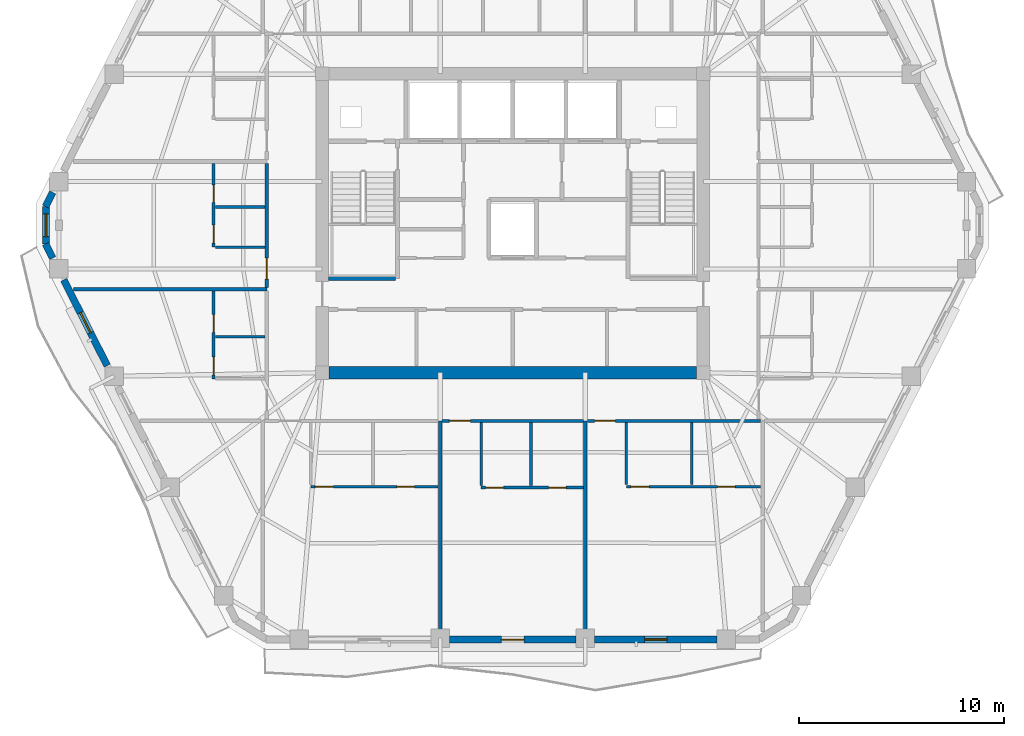
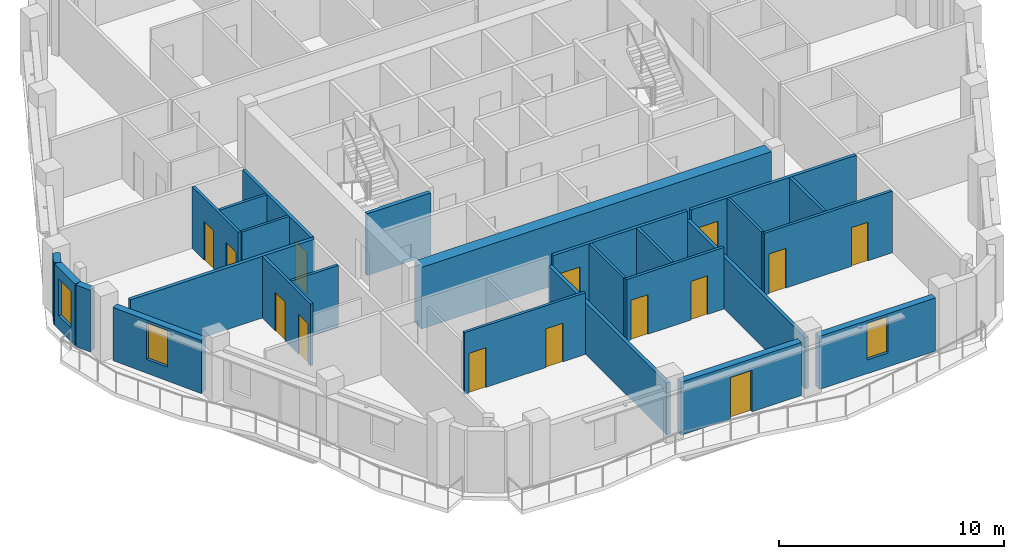
# One storey, part 4 of 11: 26 walls, 14 doors, 3 windows, 17 openings.
"""IFC4 building model written with IfcOpenShell, lengths in metres."""

from ifc_helpers import new_model, si_unit, direction, frame, frame_2d, origin, place, context, subcontext, project, spatial, rectangle, extrude, material, layer, layer_set, type_object, element, fill, save


model = new_model("IFC4")

# Units and contexts
model_context = context("Model", 3, precision=1e-05, world=origin(), true_north=direction((0.0, 1.0)))
body_context = subcontext(model_context, "Body", "Model", "MODEL_VIEW")
ifc_project = project(units=[si_unit("LENGTHUNIT", "METRE"), si_unit("AREAUNIT", "SQUARE_METRE"), si_unit("VOLUMEUNIT", "CUBIC_METRE"), si_unit("PLANEANGLEUNIT", "RADIAN"), si_unit("MASSUNIT", "GRAM", prefix="KILO")], contexts=[model_context])

# Site, building, storey
site_placement = place(None, origin())
site = spatial("IfcSite", under=ifc_project, at=site_placement, CompositionType="ELEMENT")
building_placement = place(site_placement, origin())
building = spatial("IfcBuilding", under=site, at=building_placement, Name="Cinnabar Lancet Tower", CompositionType="ELEMENT")
storey_placement = place(building_placement, frame((0.0, 0.0, 200.300048828125)))
storey = spatial("IfcBuildingStorey", under=building, at=storey_placement, Name="L53", CompositionType="ELEMENT", Elevation=200.300048828125)

# Wall, opening, door
ifc_material_1 = material(Name="Acoustic twin-stud gypsum partition", Category="gypsum")
ifc_layer_1 = layer(ifc_material_1, 0.159912109375)
ifc_layer_set_1 = layer_set([ifc_layer_1], Name="Acoustic twin-stud gypsum partition")
wall_type_1 = type_object("IfcWallType", Name="ARC-WL-CORR-160", PredefinedType="PARTITIONING", material=ifc_layer_set_1)
wall_1_placement = place(storey_placement, frame((28.951904296875, 16.25, 0.0), z_axis=(0.0, 0.0, 1.0), x_axis=(1.0, 0.0, 0.0)))
wall_1 = element("IfcWall", 1, at=wall_1_placement, inside=storey, type_object=wall_type_1, Name="L53 Unit S02 Corridor Wall", PredefinedType="PARTITIONING", context=body_context, shape_type="SweptSolid", body=[
    extrude(rectangle(XDim=6.89599609375, YDim=0.159912109375, at=frame_2d((3.447998046875, 0.0))), origin(), (0.0, 0.0, 1.0), 3.349853515625),
])
opening_1_placement = place(wall_1_placement, frame((0.35498046875, 0.0, 0.0)))
opening_1 = element("IfcOpeningElement", 2, at=opening_1_placement, cuts=wall_1, Name="Opening UD-01", PredefinedType="OPENING", context=body_context, shape_type="SweptSolid", body=[
    extrude(rectangle(XDim=1.02001953125, YDim=2.25, at=frame_2d((0.510009765625, 1.125))), frame((0.0, 0.08984375, 0.0), z_axis=(0.0, -1.0, 0.0), x_axis=(1.0, 0.0, 0.0)), (0.0, 0.0, 1.0), 0.179931640625),
])
ifc_material_2 = material(Name="Solid timber fire-rated apartment entrance door", Category="wood")
door_type_1 = type_object("IfcDoorType", Name="ARC-DR-UNIT", OperationType="NOTDEFINED", PredefinedType="DOOR", material=ifc_material_2)
door_1_placement = place(opening_1_placement, origin())
door_1 = element("IfcDoor", 3, at=door_1_placement, inside=storey, type_object=door_type_1, Name="DR-L53-S02-ENT", OperationType="SINGLE_SWING_RIGHT", OverallHeight=2.25, OverallWidth=1.02001953125, PredefinedType="DOOR", context=body_context, shape_type="SweptSolid", body=[
    extrude(rectangle(XDim=1.02001953125, YDim=2.25, at=frame_2d((0.510009765625, 1.125))), frame((0.0, 0.02490234375, 0.0), z_axis=(0.0, -1.0, 0.0), x_axis=(1.0, 0.0, 0.0)), (0.0, 0.0, 1.0), 0.050048828125),
])
fill(opening_1, door_1)

wall_2_placement = place(storey_placement, frame((36.0380859375, 16.25, 0.0), z_axis=(0.0, 0.0, 1.0), x_axis=(1.0, 0.0, 0.0)))
wall_2 = element("IfcWall", 4, at=wall_2_placement, inside=storey, type_object=wall_type_1, Name="L53 Unit S03 Corridor Wall", PredefinedType="PARTITIONING", context=body_context, shape_type="SweptSolid", body=[
    extrude(rectangle(XDim=8.466796875, YDim=0.159912109375, at=frame_2d((4.2333984375, 0.0))), origin(), (0.0, 0.0, 1.0), 3.349853515625),
])
opening_2_placement = place(wall_2_placement, frame((0.35498046875, 0.0, 0.0)))
opening_2 = element("IfcOpeningElement", 5, at=opening_2_placement, cuts=wall_2, Name="Opening UD-01", PredefinedType="OPENING", context=body_context, shape_type="SweptSolid", body=[
    extrude(rectangle(XDim=1.02001953125, YDim=2.25, at=frame_2d((0.510009765625, 1.125))), frame((0.0, 0.08984375, 0.0), z_axis=(0.0, -1.0, 0.0), x_axis=(1.0, 0.0, 0.0)), (0.0, 0.0, 1.0), 0.179931640625),
])
door_2_placement = place(opening_2_placement, origin())
door_2 = element("IfcDoor", 6, at=door_2_placement, inside=storey, type_object=door_type_1, Name="DR-L53-S03-ENT", OperationType="SINGLE_SWING_LEFT", OverallHeight=2.25, OverallWidth=1.02001953125, PredefinedType="DOOR", context=body_context, shape_type="SweptSolid", body=[
    extrude(rectangle(XDim=1.02001953125, YDim=2.25, at=frame_2d((0.510009765625, 1.125))), frame((0.0, 0.02490234375, 0.0), z_axis=(0.0, -1.0, 0.0), x_axis=(1.0, 0.0, 0.0)), (0.0, 0.0, 1.0), 0.050048828125),
])
fill(opening_2, door_2)

wall_3_placement = place(storey_placement, frame((20.39990234375, 22.77099609375, 0.0), z_axis=(0.0, 0.0, 1.0), x_axis=(0.0, 1.0, 0.0)))
wall_3 = element("IfcWall", 7, at=wall_3_placement, inside=storey, type_object=wall_type_1, Name="UW-L53-W02-COR", PredefinedType="PARTITIONING", context=body_context, shape_type="SweptSolid", body=[
    extrude(rectangle(XDim=6.047119140625, YDim=0.159912109375, at=frame_2d((3.0234375, 0.0))), origin(), (0.0, 0.0, 1.0), 3.349853515625),
])
opening_3_placement = place(wall_3_placement, frame((0.39990234375, 0.0, 0.0)))
opening_3 = element("IfcOpeningElement", 8, at=opening_3_placement, cuts=wall_3, Name="Opening UD-01", PredefinedType="OPENING", context=body_context, shape_type="SweptSolid", body=[
    extrude(rectangle(XDim=1.02001953125, YDim=2.25, at=frame_2d((0.510009765625, 1.125))), frame((0.0, 0.08984375, 0.0), z_axis=(0.0, -1.0, 0.0), x_axis=(1.0, 0.0, 0.0)), (0.0, 0.0, 1.0), 0.179931640625),
])
door_3_placement = place(opening_3_placement, origin())
door_3 = element("IfcDoor", 9, at=door_3_placement, inside=storey, type_object=door_type_1, Name="DR-L53-W02-ENT", OperationType="SINGLE_SWING_RIGHT", OverallHeight=2.25, OverallWidth=1.02001953125, PredefinedType="DOOR", context=body_context, shape_type="SweptSolid", body=[
    extrude(rectangle(XDim=1.02001953125, YDim=2.25, at=frame_2d((0.510009765625, 1.125))), frame((0.0, 0.02490234375, 0.0), z_axis=(0.0, -1.0, 0.0), x_axis=(1.0, 0.0, 0.0)), (0.0, 0.0, 1.0), 0.050048828125),
])
fill(opening_3, door_3)

# Walls
ifc_material_3 = material(Name="Fire-rated twin-frame acoustic drywall", Category="gypsum")
ifc_layer_2 = layer(ifc_material_3, 0.179931640625)
ifc_layer_set_2 = layer_set([ifc_layer_2], Name="Fire-rated twin-frame acoustic drywall")
wall_type_2 = type_object("IfcWallType", Name="ARC-WL-PARTY-180", PredefinedType="PARTITIONING", material=ifc_layer_set_2)
for number, where, z_axis, x_axis, name in (
    (10, (28.85693359375, 5.7548828125, 0.0), (0.0, 0.0, 1.0), (0.0, 1.0, 0.0), "PW-L53-SPTY-289"),
    (11, (35.943115234375, 5.7548828125, 0.0), (0.0, 0.0, 1.0), (0.0, 1.0, 0.0), "PW-L53-SPTY-359"),
):
    element("IfcWall", number, at=place(storey_placement, frame(where, z_axis=z_axis, x_axis=x_axis)), inside=storey, type_object=wall_type_2, Name=name, PredefinedType="PARTITIONING", context=body_context, shape_type="SweptSolid", body=[
        extrude(rectangle(XDim=10.4951171875, YDim=0.179931640625, at=frame_2d((5.24755859375, 0.0))), origin(), (0.0, 0.0, 1.0), 2.806884765625),
    ])
wall_4_placement = place(storey_placement, frame((10.9599609375, 22.676025390625, 0.0), z_axis=(0.0, 0.0, 1.0), x_axis=(1.0, 0.0, 0.0)))
element("IfcWall", 12, at=wall_4_placement, inside=storey, type_object=wall_type_2, Name="PW-L53-WPTY-1", PredefinedType="PARTITIONING", context=body_context, shape_type="SweptSolid", body=[
    extrude(rectangle(XDim=9.43994140625, YDim=0.179931640625, at=frame_2d((4.719970703125, 0.0))), origin(), (0.0, 0.0, 1.0), 3.349853515625),
])
ifc_material_4 = material(Name="Autoclaved aerated concrete blockwork", Category="masonry")
ifc_layer_3 = layer(ifc_material_4, 0.199951171875)
ifc_layer_set_3 = layer_set([ifc_layer_3], Name="Autoclaved aerated concrete blockwork")
wall_type_3 = type_object("IfcWallType", Name="ARC-WL-SHAFT-200", PredefinedType="PLUMBINGWALL", material=ifc_layer_set_3)
wall_5_placement = place(storey_placement, frame((23.405029296875, 23.199951171875, 0.0), z_axis=(0.0, 0.0, 1.0), x_axis=(1.0, 0.0, 0.0)))
element("IfcWall", 13, at=wall_5_placement, inside=storey, type_object=wall_type_3, Name="CW-ST1S-L53", PredefinedType="PLUMBINGWALL", context=body_context, shape_type="SweptSolid", body=[
    extrude(rectangle(XDim=3.27001953125, YDim=0.199951171875, at=frame_2d((1.635009765625, 0.0))), origin(), (0.0, 0.0, 1.0), 3.349853515625),
])
ifc_material_5 = material(Name="Gypsum plasterboard stud partition", Category="gypsum")
ifc_layer_4 = layer(ifc_material_5, 0.125)
ifc_layer_set_4 = layer_set([ifc_layer_4], Name="Gypsum plasterboard stud partition")
wall_type_4 = type_object("IfcWallType", Name="ARC-WL-UNIT-125", PredefinedType="PARTITIONING", material=ifc_layer_set_4)
wall_6_placement = place(storey_placement, frame((30.85693359375, 13.10205078125, 0.0), z_axis=(0.0, 0.0, 1.0), x_axis=(0.0, 1.0, 0.0)))
element("IfcWall", 14, at=wall_6_placement, inside=storey, type_object=wall_type_4, Name="UW-L53-S02-FOYE", PredefinedType="PARTITIONING", context=body_context, shape_type="SweptSolid", body=[
    extrude(rectangle(XDim=3.06298828125, YDim=0.125, at=frame_2d((1.531494140625, 0.0))), origin(), (0.0, 0.0, 1.0), 3.349853515625),
])
wall_7_placement = place(storey_placement, frame((37.943115234375, 13.138916015625, 0.0), z_axis=(0.0, 0.0, 1.0), x_axis=(0.0, 1.0, 0.0)))
element("IfcWall", 15, at=wall_7_placement, inside=storey, type_object=wall_type_4, Name="UW-L53-S03-FOYE", PredefinedType="PARTITIONING", context=body_context, shape_type="SweptSolid", body=[
    extrude(rectangle(XDim=3.026123046875, YDim=0.125, at=frame_2d((1.51318359375, 0.0))), origin(), (0.0, 0.0, 1.0), 3.349853515625),
])
wall_8_placement = place(storey_placement, frame((17.885009765625, 24.72607421875, 0.0), z_axis=(0.0, 0.0, 1.0), x_axis=(1.0, 0.0, 0.0)))
element("IfcWall", 16, at=wall_8_placement, inside=storey, type_object=wall_type_4, Name="UW-L53-W02-FOYN", PredefinedType="PARTITIONING", context=body_context, shape_type="SweptSolid", body=[
    extrude(rectangle(XDim=2.429931640625, YDim=0.125, at=frame_2d((1.21484375, 0.0))), origin(), (0.0, 0.0, 1.0), 3.349853515625),
])

# Wall, openings, doors
ifc_material_6 = material(Name="Moisture-resistant cement-board plumbing wall", Category="masonry")
ifc_layer_5 = layer(ifc_material_6, 0.139892578125)
ifc_layer_set_5 = layer_set([ifc_layer_5], Name="Moisture-resistant cement-board plumbing wall")
wall_type_5 = type_object("IfcWallType", Name="ARC-WL-WET-140", PredefinedType="PLUMBINGWALL", material=ifc_layer_set_5)
wall_9_placement = place(storey_placement, frame((22.550048828125, 13.033935546875, 0.0), z_axis=(0.0, 0.0, 1.0), x_axis=(1.0, 0.0, 0.0)))
wall_9 = element("IfcWall", 17, at=wall_9_placement, inside=storey, type_object=wall_type_5, Name="UW-L53-S01-SPL", PredefinedType="PLUMBINGWALL", context=body_context, shape_type="SweptSolid", body=[
    extrude(rectangle(XDim=6.2119140625, YDim=0.139892578125, at=frame_2d((3.10595703125, 0.0))), origin(), (0.0, 0.0, 1.0), 3.349853515625),
])
opening_4_placement = place(wall_9_placement, frame((4.195068359375, 0.0, 0.0)))
opening_4 = element("IfcOpeningElement", 18, at=opening_4_placement, cuts=wall_9, Name="Opening BD-01", PredefinedType="OPENING", context=body_context, shape_type="SweptSolid", body=[
    extrude(rectangle(XDim=0.860107421875, YDim=2.10009765625, at=frame_2d((0.43017578125, 1.050048828125))), frame((0.0, 0.079833984375, 0.0), z_axis=(0.0, -1.0, 0.0), x_axis=(1.0, 0.0, 0.0)), (0.0, 0.0, 1.0), 0.159912109375),
])
opening_5_placement = place(wall_9_placement, frame((0.219970703125, 0.0, 0.0)))
opening_5 = element("IfcOpeningElement", 19, at=opening_5_placement, cuts=wall_9, Name="Opening RD-02", PredefinedType="OPENING", context=body_context, shape_type="SweptSolid", body=[
    extrude(rectangle(XDim=0.8798828125, YDim=2.14990234375, at=frame_2d((0.43994140625, 1.074951171875))), frame((0.0, 0.079833984375, 0.0), z_axis=(0.0, -1.0, 0.0), x_axis=(1.0, 0.0, 0.0)), (0.0, 0.0, 1.0), 0.159912109375),
])
ifc_material_7 = material(Name="Moisture-resistant timber bathroom door", Category="wood")
door_type_2 = type_object("IfcDoorType", Name="ARC-DR-BATH", OperationType="NOTDEFINED", PredefinedType="DOOR", material=ifc_material_7)
door_4_placement = place(opening_4_placement, origin())
door_4 = element("IfcDoor", 20, at=door_4_placement, inside=storey, type_object=door_type_2, Name="DR-L53-S01-BTH", OperationType="SINGLE_SWING_LEFT", OverallHeight=2.10009765625, OverallWidth=0.860107421875, PredefinedType="DOOR", context=body_context, shape_type="SweptSolid", body=[
    extrude(rectangle(XDim=0.860107421875, YDim=2.10009765625, at=frame_2d((0.43017578125, 1.050048828125))), frame((0.0, 0.02490234375, 0.0), z_axis=(0.0, -1.0, 0.0), x_axis=(1.0, 0.0, 0.0)), (0.0, 0.0, 1.0), 0.050048828125),
])
fill(opening_4, door_4)
ifc_material_8 = material(Name="Engineered timber study door", Category="wood")
door_type_3 = type_object("IfcDoorType", Name="ARC-DR-STUDY", OperationType="NOTDEFINED", PredefinedType="DOOR", material=ifc_material_8)
door_5_placement = place(opening_5_placement, origin())
door_5 = element("IfcDoor", 21, at=door_5_placement, inside=storey, type_object=door_type_3, Name="DR-L53-S01-KIT", OperationType="SINGLE_SWING_RIGHT", OverallHeight=2.14990234375, OverallWidth=0.8798828125, PredefinedType="DOOR", context=body_context, shape_type="SweptSolid", body=[
    extrude(rectangle(XDim=0.8798828125, YDim=2.14990234375, at=frame_2d((0.43994140625, 1.074951171875))), frame((0.0, 0.02490234375, 0.0), z_axis=(0.0, -1.0, 0.0), x_axis=(1.0, 0.0, 0.0)), (0.0, 0.0, 1.0), 0.050048828125),
])
fill(opening_5, door_5)

wall_10_placement = place(storey_placement, frame((30.85693359375, 12.9970703125, 0.0), z_axis=(0.0, 0.0, 1.0), x_axis=(1.0, 0.0, 0.0)))
wall_10 = element("IfcWall", 22, at=wall_10_placement, inside=storey, type_object=wall_type_5, Name="UW-L53-S02-SPL", PredefinedType="PLUMBINGWALL", context=body_context, shape_type="SweptSolid", body=[
    extrude(rectangle(XDim=4.990966796875, YDim=0.139892578125, at=frame_2d((2.49560546875, 0.0))), origin(), (0.0, 0.0, 1.0), 3.349853515625),
])
opening_6_placement = place(wall_10_placement, frame((3.291015625, 0.0, 0.0)))
opening_6 = element("IfcOpeningElement", 23, at=opening_6_placement, cuts=wall_10, Name="Opening BD-01", PredefinedType="OPENING", context=body_context, shape_type="SweptSolid", body=[
    extrude(rectangle(XDim=0.860107421875, YDim=2.10009765625, at=frame_2d((0.43017578125, 1.050048828125))), frame((0.0, 0.079833984375, 0.0), z_axis=(0.0, -1.0, 0.0), x_axis=(1.0, 0.0, 0.0)), (0.0, 0.0, 1.0), 0.159912109375),
])
opening_7_placement = place(wall_10_placement, frame((0.219970703125, 0.0, 0.0)))
opening_7 = element("IfcOpeningElement", 24, at=opening_7_placement, cuts=wall_10, Name="Opening RD-02", PredefinedType="OPENING", context=body_context, shape_type="SweptSolid", body=[
    extrude(rectangle(XDim=0.8798828125, YDim=2.14990234375, at=frame_2d((0.43994140625, 1.074951171875))), frame((0.0, 0.079833984375, 0.0), z_axis=(0.0, -1.0, 0.0), x_axis=(1.0, 0.0, 0.0)), (0.0, 0.0, 1.0), 0.159912109375),
])
door_6_placement = place(opening_6_placement, origin())
door_6 = element("IfcDoor", 25, at=door_6_placement, inside=storey, type_object=door_type_2, Name="DR-L53-S02-BTH", OperationType="SINGLE_SWING_RIGHT", OverallHeight=2.10009765625, OverallWidth=0.860107421875, PredefinedType="DOOR", context=body_context, shape_type="SweptSolid", body=[
    extrude(rectangle(XDim=0.860107421875, YDim=2.10009765625, at=frame_2d((0.43017578125, 1.050048828125))), frame((0.0, 0.02490234375, 0.0), z_axis=(0.0, -1.0, 0.0), x_axis=(1.0, 0.0, 0.0)), (0.0, 0.0, 1.0), 0.050048828125),
])
fill(opening_6, door_6)
door_7_placement = place(opening_7_placement, origin())
door_7 = element("IfcDoor", 26, at=door_7_placement, inside=storey, type_object=door_type_3, Name="DR-L53-S02-KIT", OperationType="SINGLE_SWING_LEFT", OverallHeight=2.14990234375, OverallWidth=0.8798828125, PredefinedType="DOOR", context=body_context, shape_type="SweptSolid", body=[
    extrude(rectangle(XDim=0.8798828125, YDim=2.14990234375, at=frame_2d((0.43994140625, 1.074951171875))), frame((0.0, 0.02490234375, 0.0), z_axis=(0.0, -1.0, 0.0), x_axis=(1.0, 0.0, 0.0)), (0.0, 0.0, 1.0), 0.050048828125),
])
fill(opening_7, door_7)

# Wall
wall_11_placement = place(storey_placement, frame((33.298095703125, 13.10205078125, 0.0), z_axis=(0.0, 0.0, 1.0), x_axis=(0.0, 1.0, 0.0)))
element("IfcWall", 27, at=wall_11_placement, inside=storey, type_object=wall_type_5, Name="UW-L53-S02-KDV", PredefinedType="PLUMBINGWALL", context=body_context, shape_type="SweptSolid", body=[
    extrude(rectangle(XDim=3.06298828125, YDim=0.139892578125, at=frame_2d((1.531494140625, 0.0))), origin(), (0.0, 0.0, 1.0), 3.349853515625),
])

# Wall, openings, doors
wall_12_placement = place(storey_placement, frame((37.943115234375, 13.033935546875, 0.0), z_axis=(0.0, 0.0, 1.0), x_axis=(1.0, 0.0, 0.0)))
wall_12 = element("IfcWall", 28, at=wall_12_placement, inside=storey, type_object=wall_type_5, Name="UW-L53-S03-SPL", PredefinedType="PLUMBINGWALL", context=body_context, shape_type="SweptSolid", body=[
    extrude(rectangle(XDim=6.561767578125, YDim=0.139892578125, at=frame_2d((3.28076171875, 0.0))), origin(), (0.0, 0.0, 1.0), 3.349853515625),
])
opening_8_placement = place(wall_12_placement, frame((4.4541015625, 0.0, 0.0)))
opening_8 = element("IfcOpeningElement", 29, at=opening_8_placement, cuts=wall_12, Name="Opening BD-01", PredefinedType="OPENING", context=body_context, shape_type="SweptSolid", body=[
    extrude(rectangle(XDim=0.860107421875, YDim=2.10009765625, at=frame_2d((0.43017578125, 1.050048828125))), frame((0.0, 0.079833984375, 0.0), z_axis=(0.0, -1.0, 0.0), x_axis=(1.0, 0.0, 0.0)), (0.0, 0.0, 1.0), 0.159912109375),
])
opening_9_placement = place(wall_12_placement, frame((0.219970703125, 0.0, 0.0)))
opening_9 = element("IfcOpeningElement", 30, at=opening_9_placement, cuts=wall_12, Name="Opening RD-02", PredefinedType="OPENING", context=body_context, shape_type="SweptSolid", body=[
    extrude(rectangle(XDim=0.8798828125, YDim=2.14990234375, at=frame_2d((0.43994140625, 1.074951171875))), frame((0.0, 0.079833984375, 0.0), z_axis=(0.0, -1.0, 0.0), x_axis=(1.0, 0.0, 0.0)), (0.0, 0.0, 1.0), 0.159912109375),
])
door_8_placement = place(opening_8_placement, origin())
door_8 = element("IfcDoor", 31, at=door_8_placement, inside=storey, type_object=door_type_2, Name="DR-L53-S03-BTH", OperationType="SINGLE_SWING_LEFT", OverallHeight=2.10009765625, OverallWidth=0.860107421875, PredefinedType="DOOR", context=body_context, shape_type="SweptSolid", body=[
    extrude(rectangle(XDim=0.860107421875, YDim=2.10009765625, at=frame_2d((0.43017578125, 1.050048828125))), frame((0.0, 0.02490234375, 0.0), z_axis=(0.0, -1.0, 0.0), x_axis=(1.0, 0.0, 0.0)), (0.0, 0.0, 1.0), 0.050048828125),
])
fill(opening_8, door_8)
door_9_placement = place(opening_9_placement, origin())
door_9 = element("IfcDoor", 32, at=door_9_placement, inside=storey, type_object=door_type_3, Name="DR-L53-S03-KIT", OperationType="SINGLE_SWING_RIGHT", OverallHeight=2.14990234375, OverallWidth=0.8798828125, PredefinedType="DOOR", context=body_context, shape_type="SweptSolid", body=[
    extrude(rectangle(XDim=0.8798828125, YDim=2.14990234375, at=frame_2d((0.43994140625, 1.074951171875))), frame((0.0, 0.02490234375, 0.0), z_axis=(0.0, -1.0, 0.0), x_axis=(1.0, 0.0, 0.0)), (0.0, 0.0, 1.0), 0.050048828125),
])
fill(opening_9, door_9)

# Wall
wall_13_placement = place(storey_placement, frame((41.137939453125, 13.138916015625, 0.0), z_axis=(0.0, 0.0, 1.0), x_axis=(0.0, 1.0, 0.0)))
element("IfcWall", 33, at=wall_13_placement, inside=storey, type_object=wall_type_5, Name="UW-L53-S03-KDV", PredefinedType="PLUMBINGWALL", context=body_context, shape_type="SweptSolid", body=[
    extrude(rectangle(XDim=3.026123046875, YDim=0.139892578125, at=frame_2d((1.51318359375, 0.0))), origin(), (0.0, 0.0, 1.0), 3.349853515625),
])

# Wall, openings, doors
wall_14_placement = place(storey_placement, frame((17.800048828125, 18.300048828125, 0.0), z_axis=(0.0, 0.0, 1.0), x_axis=(0.0, 1.0, 0.0)))
wall_14 = element("IfcWall", 34, at=wall_14_placement, inside=storey, type_object=wall_type_5, Name="UW-L53-W01-SPL", PredefinedType="PLUMBINGWALL", context=body_context, shape_type="SweptSolid", body=[
    extrude(rectangle(XDim=4.281005859375, YDim=0.139892578125, at=frame_2d((2.140625, 0.0))), origin(), (0.0, 0.0, 1.0), 3.349853515625),
])
opening_10_placement = place(wall_14_placement, frame((2.27490234375, 0.0, 0.0)))
opening_10 = element("IfcOpeningElement", 35, at=opening_10_placement, cuts=wall_14, Name="Opening BD-01", PredefinedType="OPENING", context=body_context, shape_type="SweptSolid", body=[
    extrude(rectangle(XDim=0.860107421875, YDim=2.10009765625, at=frame_2d((0.43017578125, 1.050048828125))), frame((0.0, 0.079833984375, 0.0), z_axis=(0.0, -1.0, 0.0), x_axis=(1.0, 0.0, 0.0)), (0.0, 0.0, 1.0), 0.159912109375),
])
opening_11_placement = place(wall_14_placement, frame((0.199951171875, 0.0, 0.0)))
opening_11 = element("IfcOpeningElement", 36, at=opening_11_placement, cuts=wall_14, Name="Opening RD-02", PredefinedType="OPENING", context=body_context, shape_type="SweptSolid", body=[
    extrude(rectangle(XDim=0.8798828125, YDim=2.14990234375, at=frame_2d((0.43994140625, 1.074951171875))), frame((0.0, 0.079833984375, 0.0), z_axis=(0.0, -1.0, 0.0), x_axis=(1.0, 0.0, 0.0)), (0.0, 0.0, 1.0), 0.159912109375),
])
door_10_placement = place(opening_10_placement, origin())
door_10 = element("IfcDoor", 37, at=door_10_placement, inside=storey, type_object=door_type_2, Name="DR-L53-W01-BTH", OperationType="SINGLE_SWING_LEFT", OverallHeight=2.10009765625, OverallWidth=0.860107421875, PredefinedType="DOOR", context=body_context, shape_type="SweptSolid", body=[
    extrude(rectangle(XDim=0.860107421875, YDim=2.10009765625, at=frame_2d((0.43017578125, 1.050048828125))), frame((0.0, 0.02490234375, 0.0), z_axis=(0.0, -1.0, 0.0), x_axis=(1.0, 0.0, 0.0)), (0.0, 0.0, 1.0), 0.050048828125),
])
fill(opening_10, door_10)
door_11_placement = place(opening_11_placement, origin())
door_11 = element("IfcDoor", 38, at=door_11_placement, inside=storey, type_object=door_type_3, Name="DR-L53-W01-KIT", OperationType="SINGLE_SWING_RIGHT", OverallHeight=2.14990234375, OverallWidth=0.8798828125, PredefinedType="DOOR", context=body_context, shape_type="SweptSolid", body=[
    extrude(rectangle(XDim=0.8798828125, YDim=2.14990234375, at=frame_2d((0.43994140625, 1.074951171875))), frame((0.0, 0.02490234375, 0.0), z_axis=(0.0, -1.0, 0.0), x_axis=(1.0, 0.0, 0.0)), (0.0, 0.0, 1.0), 0.050048828125),
])
fill(opening_11, door_11)

# Wall
wall_15_placement = place(storey_placement, frame((17.885009765625, 20.35498046875, 0.0), z_axis=(0.0, 0.0, 1.0), x_axis=(1.0, 0.0, 0.0)))
element("IfcWall", 39, at=wall_15_placement, inside=storey, type_object=wall_type_5, Name="UW-L53-W01-KDV", PredefinedType="PLUMBINGWALL", context=body_context, shape_type="SweptSolid", body=[
    extrude(rectangle(XDim=2.429931640625, YDim=0.139892578125, at=frame_2d((1.21484375, 0.0))), origin(), (0.0, 0.0, 1.0), 3.349853515625),
])

# Wall, openings, doors
wall_16_placement = place(storey_placement, frame((17.800048828125, 24.72607421875, 0.0), z_axis=(0.0, 0.0, 1.0), x_axis=(0.0, 1.0, 0.0)))
wall_16 = element("IfcWall", 40, at=wall_16_placement, inside=storey, type_object=wall_type_5, Name="UW-L53-W02-SPL", PredefinedType="PLUMBINGWALL", context=body_context, shape_type="SweptSolid", body=[
    extrude(rectangle(XDim=4.092041015625, YDim=0.139892578125, at=frame_2d((2.0458984375, 0.0))), origin(), (0.0, 0.0, 1.0), 3.349853515625),
])
opening_12_placement = place(wall_16_placement, frame((2.18408203125, 0.0, 0.0)))
opening_12 = element("IfcOpeningElement", 41, at=opening_12_placement, cuts=wall_16, Name="Opening BD-01", PredefinedType="OPENING", context=body_context, shape_type="SweptSolid", body=[
    extrude(rectangle(XDim=0.860107421875, YDim=2.10009765625, at=frame_2d((0.43017578125, 1.050048828125))), frame((0.0, 0.079833984375, 0.0), z_axis=(0.0, -1.0, 0.0), x_axis=(1.0, 0.0, 0.0)), (0.0, 0.0, 1.0), 0.159912109375),
])
opening_13_placement = place(wall_16_placement, frame((0.199951171875, 0.0, 0.0)))
opening_13 = element("IfcOpeningElement", 42, at=opening_13_placement, cuts=wall_16, Name="Opening RD-02", PredefinedType="OPENING", context=body_context, shape_type="SweptSolid", body=[
    extrude(rectangle(XDim=0.8798828125, YDim=2.14990234375, at=frame_2d((0.43994140625, 1.074951171875))), frame((0.0, 0.079833984375, 0.0), z_axis=(0.0, -1.0, 0.0), x_axis=(1.0, 0.0, 0.0)), (0.0, 0.0, 1.0), 0.159912109375),
])
door_12_placement = place(opening_12_placement, origin())
door_12 = element("IfcDoor", 43, at=door_12_placement, inside=storey, type_object=door_type_2, Name="DR-L53-W02-BTH", OperationType="SINGLE_SWING_RIGHT", OverallHeight=2.10009765625, OverallWidth=0.860107421875, PredefinedType="DOOR", context=body_context, shape_type="SweptSolid", body=[
    extrude(rectangle(XDim=0.860107421875, YDim=2.10009765625, at=frame_2d((0.43017578125, 1.050048828125))), frame((0.0, 0.02490234375, 0.0), z_axis=(0.0, -1.0, 0.0), x_axis=(1.0, 0.0, 0.0)), (0.0, 0.0, 1.0), 0.050048828125),
])
fill(opening_12, door_12)
door_13_placement = place(opening_13_placement, origin())
door_13 = element("IfcDoor", 44, at=door_13_placement, inside=storey, type_object=door_type_3, Name="DR-L53-W02-KIT", OperationType="SINGLE_SWING_LEFT", OverallHeight=2.14990234375, OverallWidth=0.8798828125, PredefinedType="DOOR", context=body_context, shape_type="SweptSolid", body=[
    extrude(rectangle(XDim=0.8798828125, YDim=2.14990234375, at=frame_2d((0.43994140625, 1.074951171875))), frame((0.0, 0.02490234375, 0.0), z_axis=(0.0, -1.0, 0.0), x_axis=(1.0, 0.0, 0.0)), (0.0, 0.0, 1.0), 0.050048828125),
])
fill(opening_13, door_13)

# Wall
wall_17_placement = place(storey_placement, frame((17.885009765625, 26.68994140625, 0.0), z_axis=(0.0, 0.0, 1.0), x_axis=(1.0, 0.0, 0.0)))
element("IfcWall", 45, at=wall_17_placement, inside=storey, type_object=wall_type_5, Name="UW-L53-W02-KDV", PredefinedType="PLUMBINGWALL", context=body_context, shape_type="SweptSolid", body=[
    extrude(rectangle(XDim=2.429931640625, YDim=0.139892578125, at=frame_2d((1.21484375, 0.0))), origin(), (0.0, 0.0, 1.0), 3.349853515625),
])

# Wall, opening, window
ifc_material_9 = material(Name="Cinnabar red clay brick", Category="masonry")
ifc_layer_6 = layer(ifc_material_9, 0.340087890625)
ifc_layer_set_6 = layer_set([ifc_layer_6], Name="Cinnabar red clay brick")
wall_type_6 = type_object("IfcWallType", Name="ENV-WL-BRK-RED-340", PredefinedType="STANDARD", material=ifc_layer_set_6)
wall_18_placement = place(storey_placement, frame((9.6220703125, 26.7080078125, 0.0), z_axis=(0.0, 0.0, 1.0), x_axis=(0.0, -1.0, 0.0)))
wall_18 = element("IfcWall", 46, at=wall_18_placement, inside=storey, type_object=wall_type_6, Name="L53 Chamfered Corner Brick Pier 6.1", PredefinedType="STANDARD", context=body_context, shape_type="SweptSolid", body=[
    extrude(rectangle(XDim=1.81591796875, YDim=0.340087890625, at=frame_2d((0.907958984375, 0.0))), origin(), (0.0, 0.0, 1.0), 3.349853515625),
])
opening_14_placement = place(wall_18_placement, frame((0.35791015625, 0.0, 0.75)))
opening_14 = element("IfcOpeningElement", 47, at=opening_14_placement, cuts=wall_18, Name="Opening WN-04", PredefinedType="OPENING", context=body_context, shape_type="SweptSolid", body=[
    extrude(rectangle(XDim=1.10009765625, YDim=2.0, at=frame_2d((0.550048828125, 1.0))), frame((0.0, 0.179931640625, 0.0), z_axis=(0.0, -1.0, 0.0), x_axis=(1.0, 0.0, 0.0)), (0.0, 0.0, 1.0), 0.360107421875),
])
ifc_material_10 = material(Name="Thermally broken bronze-anodized aluminium tall lancet window", Category="aluminium")
window_type = type_object("IfcWindowType", Name="ENV-WN-LANCET-1100", PartitioningType="SINGLE_PANEL", PredefinedType="WINDOW", material=ifc_material_10)
window_1_placement = place(opening_14_placement, origin())
window_1 = element("IfcWindow", 48, at=window_1_placement, inside=storey, type_object=window_type, Name="L53 Dwelling Gothic Lancet Window 329", OverallHeight=2.0, OverallWidth=1.10009765625, PartitioningType="SINGLE_PANEL", PredefinedType="WINDOW", context=body_context, shape_type="SweptSolid", body=[
    extrude(rectangle(XDim=1.10009765625, YDim=2.0, at=frame_2d((0.550048828125, 1.0))), frame((0.0, 0.030029296875, 0.0), z_axis=(0.0, -1.0, 0.0), x_axis=(1.0, 0.0, 0.0)), (0.0, 0.0, 1.0), 0.06005859375),
])
fill(opening_14, window_1)

# Wall, opening, door
wall_19_placement = place(storey_placement, frame((29.31103515625, 5.580078125, 0.0), z_axis=(0.0, 0.0, 1.0), x_axis=(1.0, 0.0, 0.0)))
wall_19 = element("IfcWall", 49, at=wall_19_placement, inside=storey, type_object=wall_type_6, Name="L53 Face 1 Masonry Bay Wall 3", PredefinedType="STANDARD", context=body_context, shape_type="SweptSolid", body=[
    extrude(rectangle(XDim=6.177978515625, YDim=0.340087890625, at=frame_2d((3.0888671875, 0.0))), origin(), (0.0, 0.0, 1.0), 2.883056640625),
])
opening_15_placement = place(wall_19_placement, frame((2.5390625, 0.0, 0.0)))
opening_15 = element("IfcOpeningElement", 50, at=opening_15_placement, cuts=wall_19, Name="Opening TD-01", PredefinedType="OPENING", context=body_context, shape_type="SweptSolid", body=[
    extrude(rectangle(XDim=1.10009765625, YDim=2.25, at=frame_2d((0.550048828125, 1.125))), frame((0.0, 0.179931640625, 0.0), z_axis=(0.0, -1.0, 0.0), x_axis=(1.0, 0.0, 0.0)), (0.0, 0.0, 1.0), 0.360107421875),
])
ifc_material_11 = material(Name="Thermally broken low-E glazed balcony terrace door", Category="wood")
door_type_4 = type_object("IfcDoorType", Name="ARC-DR-BALC", OperationType="NOTDEFINED", PredefinedType="DOOR", material=ifc_material_11)
door_14_placement = place(opening_15_placement, origin())
door_14 = element("IfcDoor", 51, at=door_14_placement, inside=storey, type_object=door_type_4, Name="L53 Face 1 Glazed Terrace Door", OperationType="SINGLE_SWING_LEFT", OverallHeight=2.25, OverallWidth=1.10009765625, PredefinedType="DOOR", context=body_context, shape_type="SweptSolid", body=[
    extrude(rectangle(XDim=1.10009765625, YDim=2.25, at=frame_2d((0.550048828125, 1.125))), frame((0.0, 0.02490234375, 0.0), z_axis=(0.0, -1.0, 0.0), x_axis=(1.0, 0.0, 0.0)), (0.0, 0.0, 1.0), 0.050048828125),
])
fill(opening_15, door_14)

# Wall, opening, window
wall_20_placement = place(storey_placement, frame((36.39697265625, 5.580078125, 0.0), z_axis=(0.0, 0.0, 1.0), x_axis=(1.0, 0.0, 0.0)))
wall_20 = element("IfcWall", 52, at=wall_20_placement, inside=storey, type_object=wall_type_6, Name="L53 Face 1 Masonry Bay Wall 4", PredefinedType="STANDARD", context=body_context, shape_type="SweptSolid", body=[
    extrude(rectangle(XDim=5.969970703125, YDim=0.340087890625, at=frame_2d((2.98486328125, 0.0))), origin(), (0.0, 0.0, 1.0), 2.883056640625),
])
opening_16_placement = place(wall_20_placement, frame((2.43505859375, 0.0, 0.75)))
opening_16 = element("IfcOpeningElement", 53, at=opening_16_placement, cuts=wall_20, Name="Opening WN-04", PredefinedType="OPENING", context=body_context, shape_type="SweptSolid", body=[
    extrude(rectangle(XDim=1.10009765625, YDim=1.98291015625, at=frame_2d((0.550048828125, 0.991455078125))), frame((0.0, 0.179931640625, 0.0), z_axis=(0.0, -1.0, 0.0), x_axis=(1.0, 0.0, 0.0)), (0.0, 0.0, 1.0), 0.360107421875),
])
window_2_placement = place(opening_16_placement, origin())
window_2 = element("IfcWindow", 54, at=window_2_placement, inside=storey, type_object=window_type, Name="L53 Face 1 Gothic Lancet Window 4", OverallHeight=1.98291015625, OverallWidth=1.10009765625, PartitioningType="SINGLE_PANEL", PredefinedType="WINDOW", context=body_context, shape_type="SweptSolid", body=[
    extrude(rectangle(XDim=1.10009765625, YDim=1.98291015625, at=frame_2d((0.550048828125, 0.991455078125))), frame((0.0, 0.030029296875, 0.0), z_axis=(0.0, -1.0, 0.0), x_axis=(1.0, 0.0, 0.0)), (0.0, 0.0, 1.0), 0.06005859375),
])
fill(opening_16, window_2)

# Walls
for number, where, z_axis, x_axis, name in (
    (55, (9.948974609375, 27.403076171875, 0.0), (0.0, 0.0, 1.0), (-0.451262448184, -0.892391283496, 0.0), "L53 Face 5 Masonry Bay Wall 5"),
    (56, (9.60107421875, 24.885009765625, 0.0), (0.0, 0.0, 1.0), (0.451262448184, -0.892391283496, 0.0), "L53 Face 6 Masonry Bay Wall 1"),
):
    element("IfcWall", number, at=place(storey_placement, frame(where, z_axis=z_axis, x_axis=x_axis)), inside=storey, type_object=wall_type_6, Name=name, PredefinedType="STANDARD", context=body_context, shape_type="SweptSolid", body=[
        extrude(rectangle(XDim=0.77099609375, YDim=0.340087890625, at=frame_2d((0.385498046875, 0.0))), origin(), (0.0, 0.0, 1.0), 3.349853515625),
    ])

# Wall, opening, window
wall_21_placement = place(storey_placement, frame((10.485107421875, 23.136962890625, 0.0), z_axis=(0.0, 0.0, 1.0), x_axis=(0.451447222193, -0.892297823361, 0.0)))
wall_21 = element("IfcWall", 57, at=wall_21_placement, inside=storey, type_object=wall_type_6, Name="L53 Face 6 Masonry Bay Wall 2", PredefinedType="STANDARD", context=body_context, shape_type="SweptSolid", body=[
    extrude(rectangle(XDim=4.699951171875, YDim=0.340087890625, at=frame_2d((2.35009765625, 0.0))), origin(), (0.0, 0.0, 1.0), 2.883056640625),
])
opening_17_placement = place(wall_21_placement, frame((1.800048828125, 0.0, 0.75)))
opening_17 = element("IfcOpeningElement", 58, at=opening_17_placement, cuts=wall_21, Name="Opening WN-04", PredefinedType="OPENING", context=body_context, shape_type="SweptSolid", body=[
    extrude(rectangle(XDim=1.10009765625, YDim=1.98291015625, at=frame_2d((0.550048828125, 0.991455078125))), frame((0.0, 0.179931640625, 0.0), z_axis=(0.0, -1.0, 0.0), x_axis=(1.0, 0.0, 0.0)), (0.0, 0.0, 1.0), 0.360107421875),
])
window_3_placement = place(opening_17_placement, origin())
window_3 = element("IfcWindow", 59, at=window_3_placement, inside=storey, type_object=window_type, Name="L53 Face 6 Gothic Lancet Window 2", OverallHeight=1.98291015625, OverallWidth=1.10009765625, PartitioningType="SINGLE_PANEL", PredefinedType="WINDOW", context=body_context, shape_type="SweptSolid", body=[
    extrude(rectangle(XDim=1.10009765625, YDim=1.98291015625, at=frame_2d((0.550048828125, 0.991455078125))), frame((0.0, 0.030029296875, 0.0), z_axis=(0.0, -1.0, 0.0), x_axis=(1.0, 0.0, 0.0)), (0.0, 0.0, 1.0), 0.06005859375),
])
fill(opening_17, window_3)

# Wall
ifc_material_12 = material(Name="Concrete C60/75", Category="concrete")
ifc_layer_7 = layer(ifc_material_12, 0.60009765625)
ifc_layer_set_7 = layer_set([ifc_layer_7], Name="Concrete C60/75")
wall_type_7 = type_object("IfcWallType", Name="STR-WL-CORE-600", PredefinedType="SHEAR", material=ifc_layer_set_7)
wall_22_placement = place(storey_placement, frame((23.425048828125, 18.60009765625, 0.0), z_axis=(0.0, 0.0, 1.0), x_axis=(1.0, 0.0, 0.0)))
element("IfcWall", 60, at=wall_22_placement, inside=storey, type_object=wall_type_7, Name="L53 Core Shear Wall S", PredefinedType="SHEAR", context=body_context, shape_type="SweptSolid", body=[
    extrude(rectangle(XDim=17.949951171875, YDim=0.60009765625, at=frame_2d((8.97509765625, 0.0))), origin(), (0.0, 0.0, 1.0), 3.349853515625),
])

save(model, "model.ifc")
